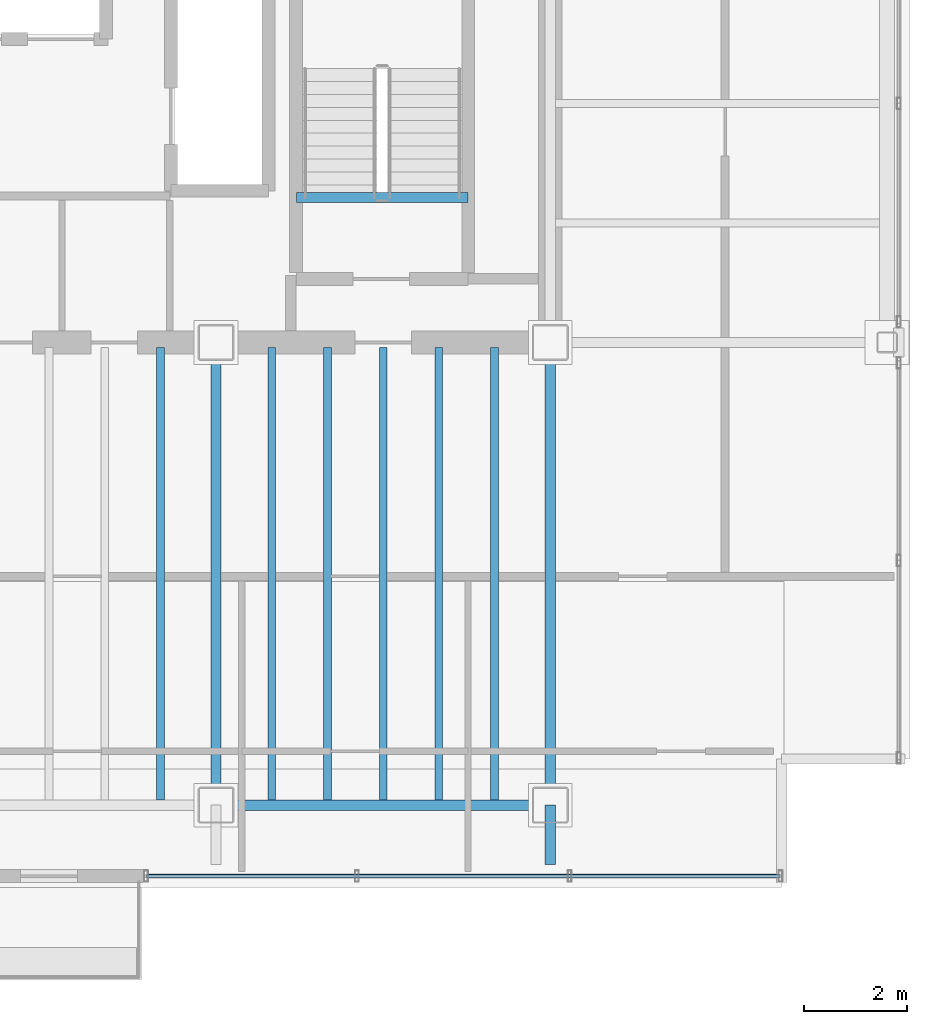
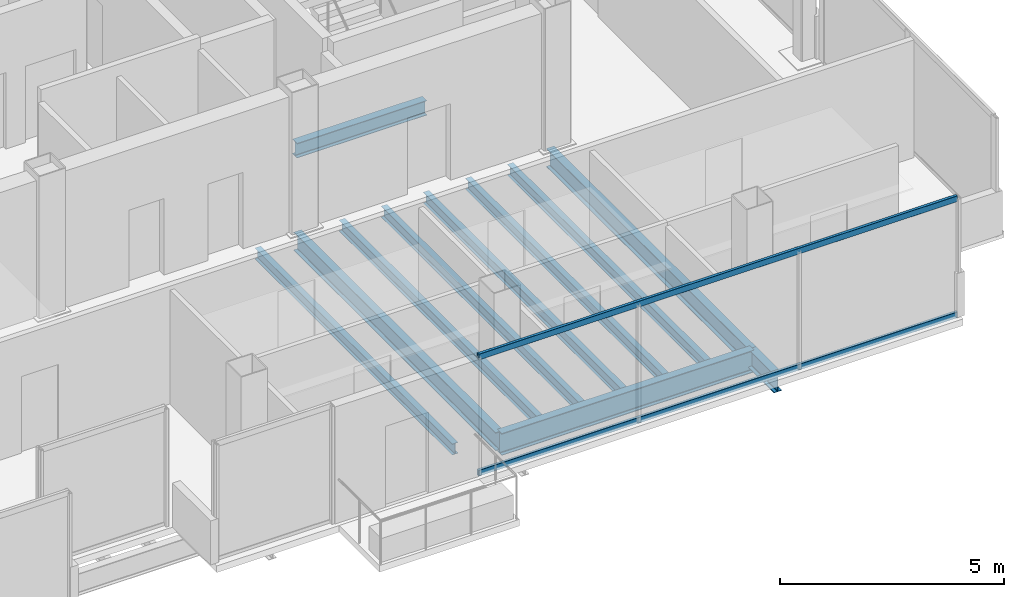
# One storey, part 7 of 17: 11 beams, 2 members, 1 element without a shape of its own.
"""IFC4 building model written with IfcOpenShell, lengths in metres."""

from ifc_helpers import new_model, si_unit, direction, frame, origin, origin_2d, place, context, subcontext, project, spatial, hollow_rectangle, i_section, extrude, material, material_profile, profile_set, type_object, element, aggregate, save


model = new_model("IFC4")

# Units and contexts
model_context = context("Model", 3, precision=1e-05, world=origin(), true_north=direction((0.0, 1.0)))
body_context = subcontext(model_context, "Body", "Model", "MODEL_VIEW")
ifc_project = project(units=[si_unit("LENGTHUNIT", "METRE"), si_unit("AREAUNIT", "SQUARE_METRE"), si_unit("VOLUMEUNIT", "CUBIC_METRE"), si_unit("PLANEANGLEUNIT", "RADIAN"), si_unit("MASSUNIT", "GRAM", prefix="KILO")], contexts=[model_context])

# Site, building, storey
site_placement = place(None, origin())
site = spatial("IfcSite", under=ifc_project, at=site_placement, CompositionType="ELEMENT")
building_placement = place(site_placement, origin())
building = spatial("IfcBuilding", under=site, at=building_placement, Name="Noeulbin Bourse Tower", CompositionType="ELEMENT")
storey_placement = place(building_placement, frame((0.0, 0.0, 289.10009765625)))
storey = spatial("IfcBuildingStorey", under=building, at=storey_placement, Name="L72", CompositionType="ELEMENT", Elevation=289.10009765625)

# Beams
ifc_material_1 = material(Name="Steel S355", Category="steel")
ifc_material_profile_1 = material_profile(ifc_material_1, i_section(OverallWidth=0.199951171875, OverallDepth=0.5, WebThickness=0.010009765625, FlangeThickness=0.01611328125, FilletRadius=0.02001953125, at=origin_2d()), Name="H-500x200x10x16", Category="LoadBearing")
ifc_profile_set_1 = profile_set([ifc_material_profile_1], Name="Steel S355")
beam_type_1 = type_object("IfcBeamType", Name="BM-GRD-500", PredefinedType="USERDEFINED", material=ifc_profile_set_1)
beam_1_placement = place(storey_placement, frame((37.5, 20.0, -0.43017578125), z_axis=(0.0, 1.0, 0.0), x_axis=(-1.0, 0.0, 0.0)))
element("IfcBeam", 1, at=beam_1_placement, inside=storey, type_object=beam_type_1, Name="Tower Primary Girder NS L72-4.2", ObjectType="GIRDER", PredefinedType="USERDEFINED", context=body_context, shape_type="SweptSolid", body=[
    extrude(i_section(OverallWidth=0.199951171875, OverallDepth=0.5, WebThickness=0.010009765625, FlangeThickness=0.01611328125, FilletRadius=0.02001953125, at=origin_2d()), origin(), (0.0, 0.0, 1.0), 9.0),
])
beam_2_placement = place(storey_placement, frame((44.0, 18.85009765625, -0.43017578125), z_axis=(0.0, 1.0, 0.0), x_axis=(-1.0, 0.0, 0.0)))
element("IfcBeam", 2, at=beam_2_placement, inside=storey, type_object=beam_type_1, Name="Tower Primary Girder NS L72-5.1", ObjectType="GIRDER", PredefinedType="USERDEFINED", context=body_context, shape_type="SweptSolid", body=[
    extrude(i_section(OverallWidth=0.199951171875, OverallDepth=0.5, WebThickness=0.010009765625, FlangeThickness=0.01611328125, FilletRadius=0.02001953125, at=origin_2d()), origin(), (0.0, 0.0, 1.0), 1.14990234375),
])
beam_3_placement = place(storey_placement, frame((44.0, 20.0, -0.43017578125), z_axis=(0.0, 1.0, 0.0), x_axis=(-1.0, 0.0, 0.0)))
element("IfcBeam", 3, at=beam_3_placement, inside=storey, type_object=beam_type_1, Name="Tower Primary Girder NS L72-5.2", ObjectType="GIRDER", PredefinedType="USERDEFINED", context=body_context, shape_type="SweptSolid", body=[
    extrude(i_section(OverallWidth=0.199951171875, OverallDepth=0.5, WebThickness=0.010009765625, FlangeThickness=0.01611328125, FilletRadius=0.02001953125, at=origin_2d()), origin(), (0.0, 0.0, 1.0), 9.0),
])
ifc_material_profile_2 = material_profile(ifc_material_1, i_section(OverallWidth=0.199951171875, OverallDepth=0.60009765625, WebThickness=0.010986328125, FlangeThickness=0.01708984375, FilletRadius=0.02197265625, at=origin_2d()), Name="H-600x200x11x17", Category="LoadBearing")
ifc_profile_set_2 = profile_set([ifc_material_profile_2], Name="Steel S355")
beam_type_2 = type_object("IfcBeamType", Name="BM-GRD-600", PredefinedType="USERDEFINED", material=ifc_profile_set_2)
beam_4_placement = place(storey_placement, frame((37.5, 20.0, -0.47998046875), z_axis=(1.0, 0.0, 0.0), x_axis=(0.0, 1.0, 0.0)))
element("IfcBeam", 4, at=beam_4_placement, inside=storey, type_object=beam_type_2, Name="Tower Primary Girder EW L72-1.3", ObjectType="GIRDER", PredefinedType="USERDEFINED", context=body_context, shape_type="SweptSolid", body=[
    extrude(i_section(OverallWidth=0.199951171875, OverallDepth=0.60009765625, WebThickness=0.010986328125, FlangeThickness=0.01708984375, FilletRadius=0.02197265625, at=origin_2d()), origin(), (0.0, 0.0, 1.0), 6.5),
])
ifc_material_profile_3 = material_profile(ifc_material_1, i_section(OverallWidth=0.14990234375, OverallDepth=0.300048828125, WebThickness=0.006591796875, FlangeThickness=0.009033203125, FilletRadius=0.012939453125, at=origin_2d()), Name="H-300x150x6.5x9", Category="LoadBearing")
ifc_profile_set_3 = profile_set([ifc_material_profile_3], Name="Steel S355")
beam_type_3 = type_object("IfcBeamType", Name="BM-JST-300", PredefinedType="JOIST", material=ifc_profile_set_3)
for number, where, z_axis, x_axis, name in (
    (5, (36.416748046875, 20.10009765625, -0.330078125), (0.0, 1.0, 0.0), (-1.0, 0.0, 0.0), "Tower Composite Joist L72-19"),
    (6, (38.583251953125, 20.10009765625, -0.330078125), (0.0, 1.0, 0.0), (-1.0, 0.0, 0.0), "Tower Composite Joist L72-21"),
    (7, (39.666748046875, 20.10009765625, -0.330078125), (0.0, 1.0, 0.0), (-1.0, 0.0, 0.0), "Tower Composite Joist L72-23"),
    (8, (40.75, 20.10009765625, -0.330078125), (0.0, 1.0, 0.0), (-1.0, 0.0, 0.0), "Tower Composite Joist L72-25"),
    (9, (41.833251953125, 20.10009765625, -0.330078125), (0.0, 1.0, 0.0), (-1.0, 0.0, 0.0), "Tower Composite Joist L72-27"),
    (10, (42.916748046875, 20.10009765625, -0.330078125), (0.0, 1.0, 0.0), (-1.0, 0.0, 0.0), "Tower Composite Joist L72-29"),
):
    element("IfcBeam", number, at=place(storey_placement, frame(where, z_axis=z_axis, x_axis=x_axis)), inside=storey, type_object=beam_type_3, Name=name, PredefinedType="JOIST", context=body_context, shape_type="SweptSolid", body=[
        extrude(i_section(OverallWidth=0.14990234375, OverallDepth=0.300048828125, WebThickness=0.006591796875, FlangeThickness=0.009033203125, FilletRadius=0.012939453125, at=origin_2d()), origin(), (0.0, 0.0, 1.0), 8.7998046875),
    ])
ifc_material_profile_4 = material_profile(ifc_material_1, i_section(OverallWidth=0.199951171875, OverallDepth=0.39990234375, WebThickness=0.008056640625, FlangeThickness=0.012939453125, FilletRadius=0.01611328125, at=origin_2d()), Name="H-400x200x8x13", Category="LoadBearing")
ifc_profile_set_4 = profile_set([ifc_material_profile_4], Name="Steel S355")
beam_type_4 = type_object("IfcBeamType", Name="BM-SEC-400", PredefinedType="BEAM", material=ifc_profile_set_4)
beam_5_placement = place(storey_placement, frame((39.06005859375, 31.820068359375, -0.2001953125), z_axis=(1.0, 0.0, 0.0), x_axis=(0.0, 1.0, 0.0)))
element("IfcBeam", 11, at=beam_5_placement, inside=storey, type_object=beam_type_4, Name="Stair Threshold Trimmer Beam ST2-L72", PredefinedType="BEAM", context=body_context, shape_type="SweptSolid", body=[
    extrude(i_section(OverallWidth=0.199951171875, OverallDepth=0.39990234375, WebThickness=0.008056640625, FlangeThickness=0.012939453125, FilletRadius=0.01611328125, at=origin_2d()), origin(), (0.0, 0.0, 1.0), 3.33984375),
])

# Curtain wall, members
ifc_material_2 = material(Name="High-Selectivity Low-Iron Glazing", Category="glass")
curtain_wall_type = type_object("IfcCurtainWallType", Name="CW-SYS-4", PredefinedType="NOTDEFINED", material=ifc_material_2)
curtain_wall_placement = place(storey_placement, origin())
curtain_wall = element("IfcCurtainWall", 12, at=curtain_wall_placement, inside=storey, type_object=curtain_wall_type, Name="Unitised Curtain Wall CW-L72-S3", PredefinedType="NOTDEFINED")
ifc_material_3 = material(Name="Anodised Aluminium 6063-T6", Category="aluminium")
ifc_material_profile_5 = material_profile(ifc_material_3, hollow_rectangle(XDim=0.074951171875, YDim=0.159912109375, WallThickness=0.0048828125, InnerFilletRadius=0.00244140625, OuterFilletRadius=0.0048828125, at=origin_2d()), Name="ALU-TRAN-75x160x5", Category="LoadBearing")
ifc_profile_set_5 = profile_set([ifc_material_profile_5], Name="Anodised Aluminium 6063-T6")
member_type = type_object("IfcMemberType", Name="CW-SYS-4-TRN", PredefinedType="USERDEFINED", material=ifc_profile_set_5)
member_1_placement = place(storey_placement, frame((36.14990234375, 18.6201171875, 0.010009765625), z_axis=(1.0, 0.0, 0.0), x_axis=(0.0, 1.0, 0.0)))
member_1 = element("IfcMember", 13, at=member_1_placement, type_object=member_type, Name="Curtain Wall Transom CW-L72-S3-T00", ObjectType="TRANSOM", PredefinedType="USERDEFINED", context=body_context, shape_type="SweptSolid", body=[
    extrude(hollow_rectangle(XDim=0.074951171875, YDim=0.159912109375, WallThickness=0.0048828125, InnerFilletRadius=0.00244140625, OuterFilletRadius=0.0048828125, at=origin_2d()), origin(), (0.0, 0.0, 1.0), 12.320068359375),
])
member_2_placement = place(storey_placement, frame((36.14990234375, 18.6201171875, 3.169921875), z_axis=(1.0, 0.0, 0.0), x_axis=(0.0, 1.0, 0.0)))
member_2 = element("IfcMember", 14, at=member_2_placement, type_object=member_type, Name="Curtain Wall Transom CW-L72-S3-T01", ObjectType="TRANSOM", PredefinedType="USERDEFINED", context=body_context, shape_type="SweptSolid", body=[
    extrude(hollow_rectangle(XDim=0.074951171875, YDim=0.159912109375, WallThickness=0.0048828125, InnerFilletRadius=0.00244140625, OuterFilletRadius=0.0048828125, at=origin_2d()), origin(), (0.0, 0.0, 1.0), 12.320068359375),
])
aggregate(curtain_wall, [member_1, member_2])

save(model, "model.ifc")
